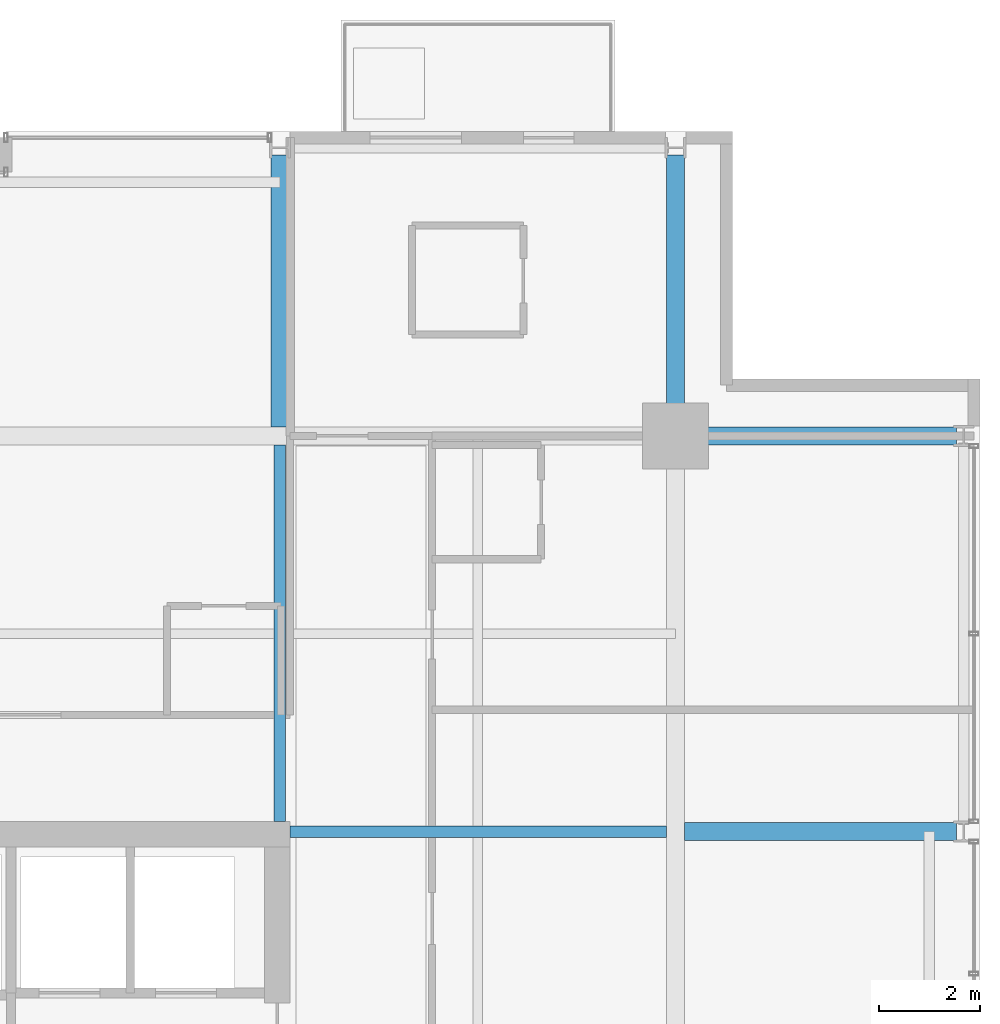
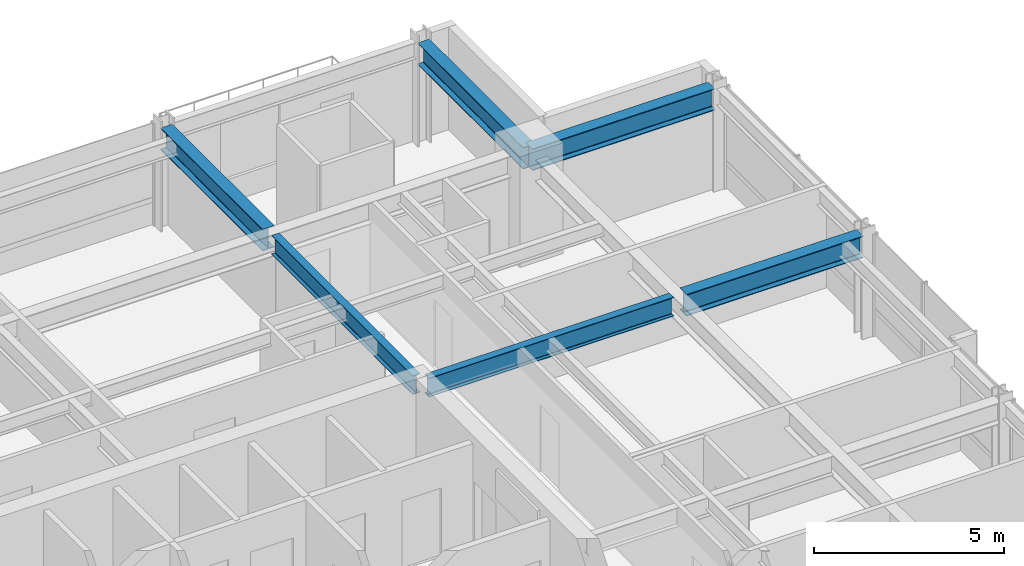
# One storey, part 23 of 34: 6 beams.
"""IFC4 building model written with IfcOpenShell, lengths in metres."""

from ifc_helpers import new_model, si_unit, direction, frame, origin, origin_2d, place, context, subcontext, project, spatial, i_section, extrude, material, material_profile, profile_set, type_object, element, save


model = new_model("IFC4")

# Units and contexts
model_context = context("Model", 3, precision=1e-05, world=origin(), true_north=direction((0.0, 1.0)))
body_context = subcontext(model_context, "Body", "Model", "MODEL_VIEW")
ifc_project = project(units=[si_unit("LENGTHUNIT", "METRE"), si_unit("AREAUNIT", "SQUARE_METRE"), si_unit("VOLUMEUNIT", "CUBIC_METRE"), si_unit("PLANEANGLEUNIT", "RADIAN"), si_unit("MASSUNIT", "GRAM", prefix="KILO")], contexts=[model_context])

# Site, building, storey
site_placement = place(None, origin())
site = spatial("IfcSite", under=ifc_project, at=site_placement, CompositionType="ELEMENT")
building_placement = place(site_placement, origin())
building = spatial("IfcBuilding", under=site, at=building_placement, Name="Drelvath Grand Hotel", CompositionType="ELEMENT")
storey_placement = place(building_placement, frame((0.0, 0.0, 175.25)))
storey = spatial("IfcBuildingStorey", under=building, at=storey_placement, Name="L45", CompositionType="ELEMENT", Elevation=175.25)

# Beams
ifc_material = material(Name="Steel ASTM A992 Gr 50", Category="steel")
ifc_material_profile_1 = material_profile(ifc_material, i_section(OverallWidth=0.228271484375, OverallDepth=0.607666015625, WebThickness=0.01123046875, FlangeThickness=0.017333984375, FilletRadius=0.02001953125, at=origin_2d()), Name="W24X76")
ifc_profile_set_1 = profile_set([ifc_material_profile_1], Name="Steel ASTM A992 Gr 50")
beam_type_1 = type_object("IfcBeamType", Name="Primary Floor Girder W24X76", PredefinedType="BEAM", material=ifc_profile_set_1)
for number, where, z_axis, x_axis, name in (
    (1, (8.60009765625, 35.39990234375, 2.986083984375), (1.0, 0.0, 0.0), (0.0, 1.0, 0.0), "L45 East Core Tie F"),
    (2, (8.39990234375, 35.60009765625, 2.986083984375), (0.0, 1.0, 0.0), (-1.0, 0.0, 0.0), "L45 North Core Tie 6"),
):
    element("IfcBeam", number, at=place(storey_placement, frame(where, z_axis=z_axis, x_axis=x_axis)), inside=storey, type_object=beam_type_1, Name=name, PredefinedType="BEAM", context=body_context, shape_type="SweptSolid", body=[
        extrude(i_section(OverallWidth=0.228271484375, OverallDepth=0.607666015625, WebThickness=0.01123046875, FlangeThickness=0.017333984375, FilletRadius=0.02001953125, at=origin_2d()), origin(), (0.0, 0.0, 1.0), 7.422607421875),
    ])
ifc_material_profile_2 = material_profile(ifc_material, i_section(OverallWidth=0.354736328125, OverallDepth=0.695556640625, WebThickness=0.015380859375, FlangeThickness=0.025146484375, FilletRadius=0.02392578125, at=origin_2d()), Name="W27X146")
ifc_profile_set_2 = profile_set([ifc_material_profile_2], Name="Steel ASTM A992 Gr 50")
beam_type_2 = type_object("IfcBeamType", Name="Primary Floor Girder W27X146", PredefinedType="BEAM", material=ifc_profile_set_2)
beam_1_placement = place(storey_placement, frame((16.199951171875, 43.199951171875, 2.9423828125), z_axis=(1.0, 0.0, 0.0), x_axis=(0.0, 1.0, 0.0)))
element("IfcBeam", 3, at=beam_1_placement, inside=storey, type_object=beam_type_2, Name="L45 East Grid Girder G", PredefinedType="BEAM", context=body_context, shape_type="SweptSolid", body=[
    extrude(i_section(OverallWidth=0.354736328125, OverallDepth=0.695556640625, WebThickness=0.015380859375, FlangeThickness=0.025146484375, FilletRadius=0.02392578125, at=origin_2d()), origin(), (0.0, 0.0, 1.0), 5.5400390625),
])
beam_2_placement = place(storey_placement, frame((16.37744140625, 35.39990234375, 2.9423828125), z_axis=(1.0, 0.0, 0.0), x_axis=(0.0, 1.0, 0.0)))
element("IfcBeam", 4, at=beam_2_placement, inside=storey, type_object=beam_type_2, Name="L45 East Wing Girder F", PredefinedType="BEAM", context=body_context, shape_type="SweptSolid", body=[
    extrude(i_section(OverallWidth=0.354736328125, OverallDepth=0.695556640625, WebThickness=0.015380859375, FlangeThickness=0.025146484375, FilletRadius=0.02392578125, at=origin_2d()), origin(), (0.0, 0.0, 1.0), 5.362548828125),
])
beam_3_placement = place(storey_placement, frame((16.199951171875, 43.199951171875, 2.9423828125), z_axis=(0.0, 1.0, 0.0), x_axis=(-1.0, 0.0, 0.0)))
element("IfcBeam", 5, at=beam_3_placement, inside=storey, type_object=beam_type_2, Name="L45 North Grid Girder 7", PredefinedType="BEAM", context=body_context, shape_type="SweptSolid", body=[
    extrude(i_section(OverallWidth=0.354736328125, OverallDepth=0.695556640625, WebThickness=0.015380859375, FlangeThickness=0.025146484375, FilletRadius=0.02392578125, at=origin_2d()), origin(), (0.0, 0.0, 1.0), 5.5400390625),
])
beam_4_placement = place(storey_placement, frame((8.39990234375, 43.37744140625, 2.9423828125), z_axis=(0.0, 1.0, 0.0), x_axis=(-1.0, 0.0, 0.0)))
element("IfcBeam", 6, at=beam_4_placement, inside=storey, type_object=beam_type_2, Name="L45 North Wing Girder 6", PredefinedType="BEAM", context=body_context, shape_type="SweptSolid", body=[
    extrude(i_section(OverallWidth=0.354736328125, OverallDepth=0.695556640625, WebThickness=0.015380859375, FlangeThickness=0.025146484375, FilletRadius=0.02392578125, at=origin_2d()), origin(), (0.0, 0.0, 1.0), 5.362548828125),
])

save(model, "model.ifc")
